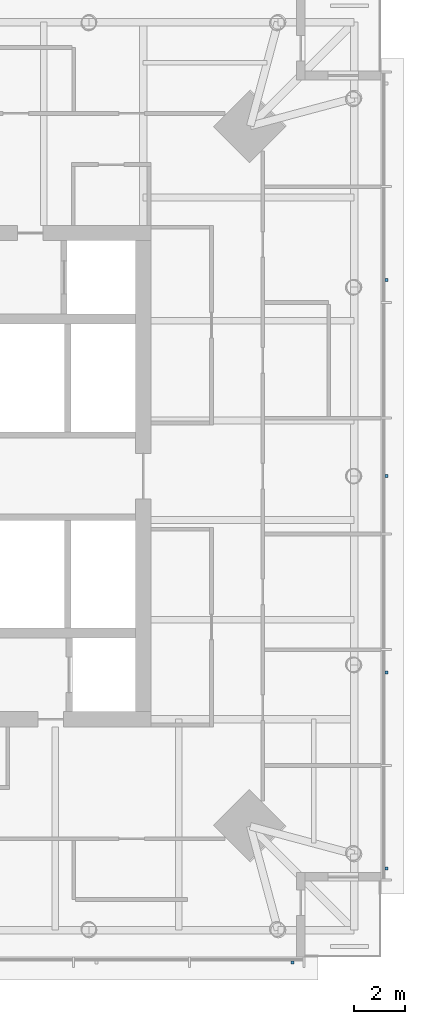
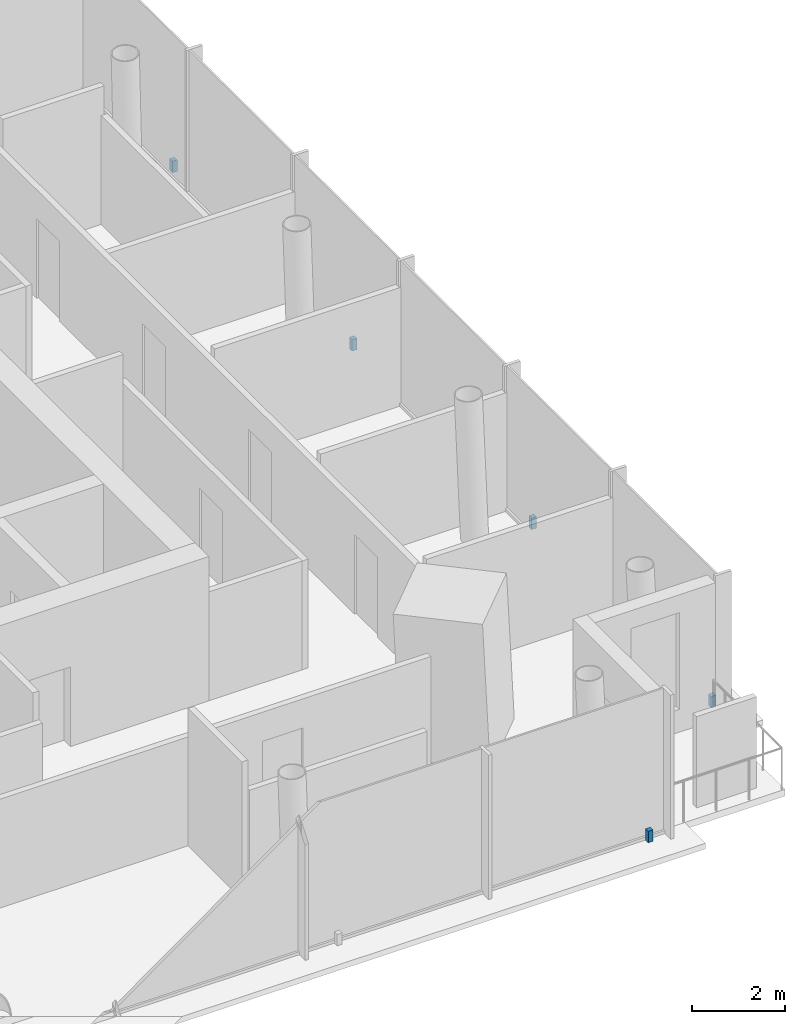
# One storey, part 9 of 11: 5 discrete accessories.
"""IFC4 building model written with IfcOpenShell, lengths in metres."""

from ifc_helpers import new_model, si_unit, direction, frame, origin, origin_2d, place, context, subcontext, project, spatial, rectangle, extrude, material, type_object, element, save


model = new_model("IFC4")

# Units and contexts
model_context = context("Model", 3, precision=1e-05, world=origin(), true_north=direction((0.0, 1.0)))
body_context = subcontext(model_context, "Body", "Model", "MODEL_VIEW")
ifc_project = project(units=[si_unit("LENGTHUNIT", "METRE"), si_unit("AREAUNIT", "SQUARE_METRE"), si_unit("VOLUMEUNIT", "CUBIC_METRE"), si_unit("PLANEANGLEUNIT", "RADIAN"), si_unit("MASSUNIT", "GRAM", prefix="KILO")], contexts=[model_context])

# Site, building, storey
site_placement = place(None, origin())
site = spatial("IfcSite", under=ifc_project, at=site_placement, CompositionType="ELEMENT")
building_placement = place(site_placement, origin())
building = spatial("IfcBuilding", under=site, at=building_placement, Name="Ostroluk Exchange", CompositionType="ELEMENT")
storey_placement = place(building_placement, frame((0.0, 0.0, 211.0)))
storey = spatial("IfcBuildingStorey", under=building, at=storey_placement, Name="L54", CompositionType="ELEMENT", Elevation=211.0)

# Discrete accessories
ifc_material = material(Name="Stainless steel", Category="steel")
discrete_accessory_type = type_object("IfcDiscreteAccessoryType", Name="Fall-arrest anchor PN-EN 795 type C", PredefinedType="USERDEFINED", material=ifc_material)
for number, where, z_axis, x_axis, name in (
    (1, (60.5, 26.7900390625, 0.0), (0.0, 0.0, 1.0), (1.0, 0.0, 0.0), "Fall-arrest anchor L54 south 5"),
    (2, (64.2099609375, 30.5, 0.0), (0.0, 0.0, 1.0), (1.0, 0.0, 0.0), "Fall-arrest anchor L54 east 1"),
    (3, (64.2099609375, 38.25, 0.0), (0.0, 0.0, 1.0), (1.0, 0.0, 0.0), "Fall-arrest anchor L54 east 2"),
    (4, (64.2099609375, 46.0, 0.0), (0.0, 0.0, 1.0), (1.0, 0.0, 0.0), "Fall-arrest anchor L54 east 3"),
    (5, (64.2099609375, 53.75, 0.0), (0.0, 0.0, 1.0), (1.0, 0.0, 0.0), "Fall-arrest anchor L54 east 4"),
):
    element("IfcDiscreteAccessory", number, at=place(storey_placement, frame(where, z_axis=z_axis, x_axis=x_axis)), inside=storey, type_object=discrete_accessory_type, Name=name, ObjectType="FALL ARREST ANCHOR", PredefinedType="USERDEFINED", context=body_context, shape_type="SweptSolid", body=[
        extrude(rectangle(XDim=0.1201171875, YDim=0.1201171875, at=origin_2d()), origin(), (0.0, 0.0, 1.0), 0.300048828125),
    ])

save(model, "model.ifc")
